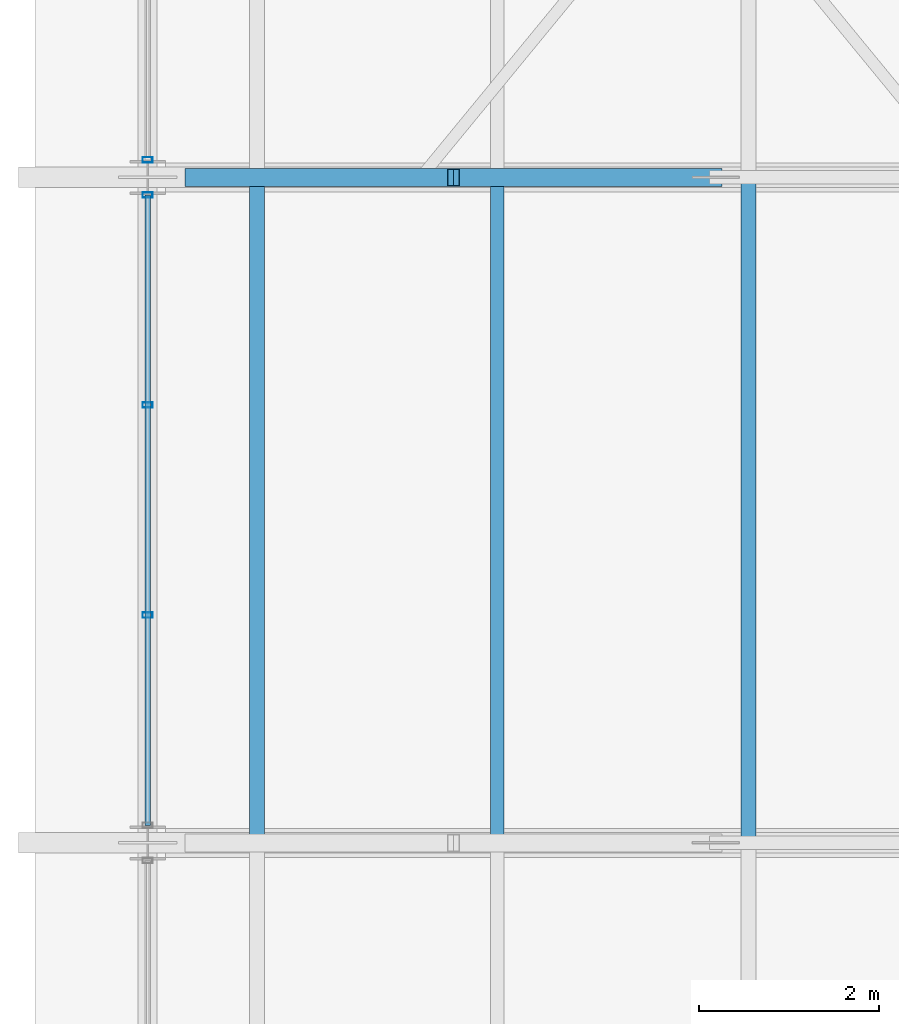
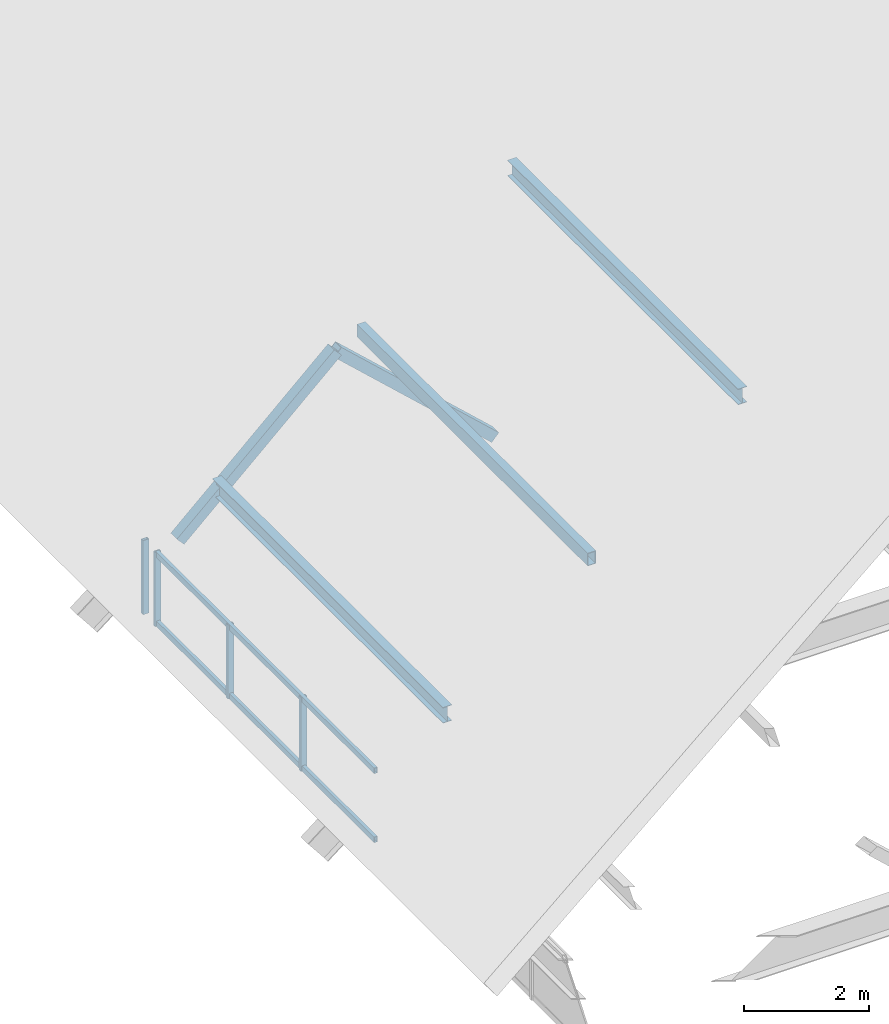
# One storey, part 12 of 44: 11 members, 2 elements without a shape of their own.
"""IFC4 building model written with IfcOpenShell, lengths in metres."""

from ifc_helpers import new_model, si_unit, direction, frame, origin, origin_2d, place, context, subcontext, project, spatial, hollow_rectangle, i_section, extrude, material, material_profile, profile_set, type_object, element, aggregate, save


model = new_model("IFC4")

# Units and contexts
model_context = context("Model", 3, precision=1e-05, world=origin(), true_north=direction((0.0, 1.0)))
body_context = subcontext(model_context, "Body", "Model", "MODEL_VIEW")
ifc_project = project(units=[si_unit("LENGTHUNIT", "METRE"), si_unit("AREAUNIT", "SQUARE_METRE"), si_unit("VOLUMEUNIT", "CUBIC_METRE"), si_unit("PLANEANGLEUNIT", "RADIAN"), si_unit("MASSUNIT", "GRAM", prefix="KILO")], contexts=[model_context])

# Site, building, storey
site_placement = place(None, origin())
site = spatial("IfcSite", under=ifc_project, at=site_placement, CompositionType="ELEMENT")
building_placement = place(site_placement, origin())
building = spatial("IfcBuilding", under=site, at=building_placement, Name="Cimatlan Art Gallery", CompositionType="ELEMENT")
storey_placement = place(building_placement, frame((0.0, 0.0, 26.39990234375)))
storey = spatial("IfcBuildingStorey", under=building, at=storey_placement, Name="Roof", CompositionType="ELEMENT", Elevation=26.39990234375)

# Curtain wall, members
ifc_material_1 = material(Name="Anodised bronze unitised curtain wall")
curtain_wall_type = type_object("IfcCurtainWallType", Name="CW-V-07010X01450-B3", PredefinedType="NOTDEFINED", material=ifc_material_1)
curtain_wall_1_placement = place(storey_placement, origin())
curtain_wall_1 = element("IfcCurtainWall", 1, at=curtain_wall_1_placement, inside=storey, type_object=curtain_wall_type, Name="CW-CRW-W-05", PredefinedType="NOTDEFINED")
ifc_material_2 = material(Name="Anodised bronze aluminium 6063-T6", Category="aluminium")
ifc_material_profile_1 = material_profile(ifc_material_2, hollow_rectangle(XDim=0.06005859375, YDim=0.110107421875, WallThickness=0.00341796875, at=origin_2d()), Name="ALU60X110X3")
ifc_profile_set_1 = profile_set([ifc_material_profile_1], Name="Anodised bronze aluminium 6063-T6")
member_type_1 = type_object("IfcMemberType", Name="CW-MUL-110", PredefinedType="MULLION", material=ifc_profile_set_1)
member_1_placement = place(storey_placement, frame((74.89990234375, 41.231689453125, 0.0), z_axis=(0.0, 0.0, 1.0), x_axis=(0.0, 1.0, 0.0)))
member_1 = element("IfcMember", 2, at=member_1_placement, type_object=member_type_1, Name="CW-CRW-W-05-M2", PredefinedType="MULLION", context=body_context, shape_type="SweptSolid", body=[
    extrude(hollow_rectangle(XDim=0.06005859375, YDim=0.110107421875, WallThickness=0.00341796875, at=origin_2d()), origin(), (0.0, 0.0, 1.0), 1.4501953125),
])
member_2_placement = place(storey_placement, frame((74.89990234375, 43.568359375, 0.0), z_axis=(0.0, 0.0, 1.0), x_axis=(0.0, 1.0, 0.0)))
member_2 = element("IfcMember", 3, at=member_2_placement, type_object=member_type_1, Name="CW-CRW-W-05-M3", PredefinedType="MULLION", context=body_context, shape_type="SweptSolid", body=[
    extrude(hollow_rectangle(XDim=0.06005859375, YDim=0.110107421875, WallThickness=0.00341796875, at=origin_2d()), origin(), (0.0, 0.0, 1.0), 1.4501953125),
])
member_3_placement = place(storey_placement, frame((74.89990234375, 45.905029296875, 0.0), z_axis=(0.0, 0.0, 1.0), x_axis=(0.0, 1.0, 0.0)))
member_3 = element("IfcMember", 4, at=member_3_placement, type_object=member_type_1, Name="CW-CRW-W-05-M4", PredefinedType="MULLION", context=body_context, shape_type="SweptSolid", body=[
    extrude(hollow_rectangle(XDim=0.06005859375, YDim=0.110107421875, WallThickness=0.00341796875, at=origin_2d()), origin(), (0.0, 0.0, 1.0), 1.4501953125),
])

# Curtain wall, member
curtain_wall_2_placement = place(storey_placement, origin())
curtain_wall_2 = element("IfcCurtainWall", 5, at=curtain_wall_2_placement, inside=storey, type_object=curtain_wall_type, Name="CW-CRW-W-06", PredefinedType="NOTDEFINED")
member_4_placement = place(storey_placement, frame((74.89990234375, 46.294921875, 0.0), z_axis=(0.0, 0.0, 1.0), x_axis=(0.0, 1.0, 0.0)))
member_4 = element("IfcMember", 6, at=member_4_placement, type_object=member_type_1, Name="CW-CRW-W-06-M1", PredefinedType="MULLION", context=body_context, shape_type="SweptSolid", body=[
    extrude(hollow_rectangle(XDim=0.06005859375, YDim=0.110107421875, WallThickness=0.00341796875, at=origin_2d()), origin(), (0.0, 0.0, 1.0), 1.4501953125),
])
aggregate(curtain_wall_2, [member_4])

# Member
ifc_material_profile_2 = material_profile(ifc_material_2, hollow_rectangle(XDim=0.06005859375, YDim=0.110107421875, WallThickness=0.00341796875, at=origin_2d()), Name="ALU60X110X3")
ifc_profile_set_2 = profile_set([ifc_material_profile_2], Name="Anodised bronze aluminium 6063-T6")
member_type_2 = type_object("IfcMemberType", Name="CW-TRN-110", PredefinedType="USERDEFINED", material=ifc_profile_set_2)
member_5_placement = place(storey_placement, frame((74.89990234375, 38.89501953125, 0.050048828125), z_axis=(0.0, 1.0, 0.0), x_axis=(-1.0, 0.0, 0.0)))
member_5 = element("IfcMember", 7, at=member_5_placement, type_object=member_type_2, Name="CW-CRW-W-05-T1", ObjectType="TRANSOM", PredefinedType="USERDEFINED", context=body_context, shape_type="SweptSolid", body=[
    extrude(hollow_rectangle(XDim=0.06005859375, YDim=0.110107421875, WallThickness=0.00341796875, at=origin_2d()), origin(), (0.0, 0.0, 1.0), 7.010009765625),
])

member_6_placement = place(storey_placement, frame((74.89990234375, 38.89501953125, 1.400146484375), z_axis=(0.0, 1.0, 0.0), x_axis=(-1.0, 0.0, 0.0)))
member_6 = element("IfcMember", 8, at=member_6_placement, type_object=member_type_2, Name="CW-CRW-W-05-T2", ObjectType="TRANSOM", PredefinedType="USERDEFINED", context=body_context, shape_type="SweptSolid", body=[
    extrude(hollow_rectangle(XDim=0.06005859375, YDim=0.110107421875, WallThickness=0.00341796875, at=origin_2d()), origin(), (0.0, 0.0, 1.0), 7.010009765625),
])

aggregate(curtain_wall_1, [member_1, member_2, member_3, member_5, member_6])

# Members
ifc_material_3 = material(Name="Steel ASTM A500 Grade C", Category="steel")
ifc_material_profile_3 = material_profile(ifc_material_3, hollow_rectangle(XDim=0.14990234375, YDim=0.25, WallThickness=0.010009765625, at=origin_2d()), Name="HSS250X150X10")
ifc_profile_set_3 = profile_set([ifc_material_profile_3], Name="Steel ASTM A500 Grade C")
member_type_3 = type_object("IfcMemberType", Name="MBR-PUR-C250", PredefinedType="PURLIN", material=ifc_profile_set_3)
member_7_placement = place(storey_placement, frame((78.7880859375, 38.699951171875, 4.31201171875), z_axis=(0.0, 1.0, 0.0), x_axis=(-1.0, 0.0, 0.0)))
element("IfcMember", 9, at=member_7_placement, inside=storey, type_object=member_type_3, Name="PUR-V1-B3-W3", PredefinedType="PURLIN", context=body_context, shape_type="SweptSolid", body=[
    extrude(hollow_rectangle(XDim=0.14990234375, YDim=0.25, WallThickness=0.010009765625, at=origin_2d()), origin(), (0.0, 0.0, 1.0), 7.400146484375),
])
ifc_material_4 = material(Name="Steel ASTM A992 Grade 50", Category="steel")
ifc_material_profile_4 = material_profile(ifc_material_4, i_section(OverallWidth=0.1650390625, OverallDepth=0.31005859375, WebThickness=0.005859375, FlangeThickness=0.009765625, at=origin_2d()), Name="W12X26")
ifc_profile_set_4 = profile_set([ifc_material_profile_4], Name="Steel ASTM A992 Grade 50")
member_type_4 = type_object("IfcMemberType", Name="MBR-PUR-W12", PredefinedType="PURLIN", material=ifc_profile_set_4)
for number, where, z_axis, x_axis, name in (
    (10, (81.58251953125, 38.699951171875, 6.52001953125), (0.0, 1.0, 0.0), (-1.0, 0.0, 0.0), "PUR-V1-B3-W2"),
    (11, (76.114990234375, 38.699951171875, 2.2001953125), (0.0, 1.0, 0.0), (-1.0, 0.0, 0.0), "PUR-V1-B3-W4"),
):
    element("IfcMember", number, at=place(storey_placement, frame(where, z_axis=z_axis, x_axis=x_axis)), inside=storey, type_object=member_type_4, Name=name, PredefinedType="PURLIN", context=body_context, shape_type="SweptSolid", body=[
        extrude(i_section(OverallWidth=0.1650390625, OverallDepth=0.31005859375, WebThickness=0.005859375, FlangeThickness=0.009765625, at=origin_2d()), origin(), (0.0, 0.0, 1.0), 7.400146484375),
    ])
ifc_material_profile_5 = material_profile(ifc_material_3, hollow_rectangle(XDim=0.199951171875, YDim=0.199951171875, WallThickness=0.010009765625, at=origin_2d()), Name="HSS200X200X10")
ifc_profile_set_5 = profile_set([ifc_material_profile_5], Name="Steel ASTM A500 Grade C")
member_type_5 = type_object("IfcMemberType", Name="MBR-TRS-DIAG-1", PredefinedType="BRACE", material=ifc_profile_set_5)
for number, where, z_axis, x_axis, name in (
    (12, (75.385986328125, 46.10009765625, 1.400146484375), (0.735270574228, 0.0, 0.677773695768), (0.0, 1.0, 0.0), "TRS-04-DW-1"),
    (13, (78.302001953125, 46.10009765625, 4.088134765625), (0.735270574228, 0.0, -0.677773695768), (0.0, 1.0, 0.0), "TRS-04-DW-2"),
):
    element("IfcMember", number, at=place(storey_placement, frame(where, z_axis=z_axis, x_axis=x_axis)), inside=storey, type_object=member_type_5, Name=name, PredefinedType="BRACE", context=body_context, shape_type="SweptSolid", body=[
        extrude(hollow_rectangle(XDim=0.199951171875, YDim=0.199951171875, WallThickness=0.010009765625, at=origin_2d()), origin(), (0.0, 0.0, 1.0), 3.9658203125),
    ])

save(model, "model.ifc")
